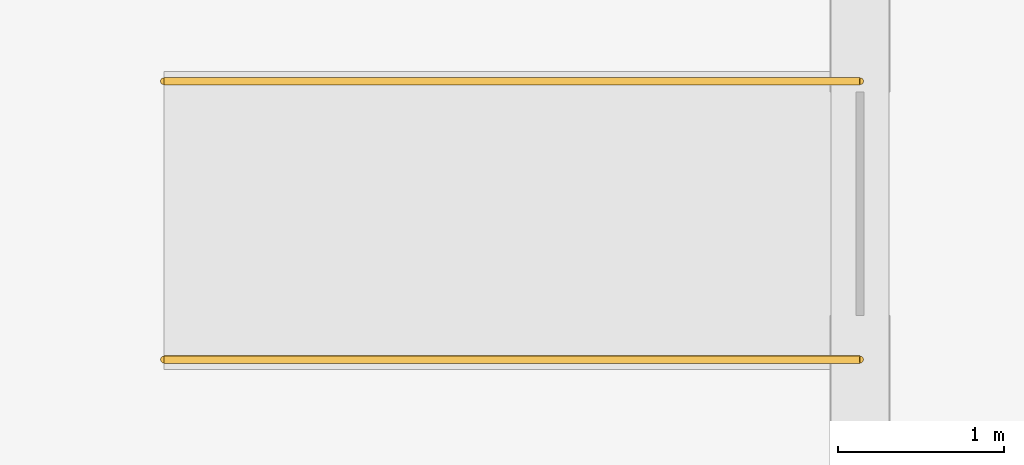
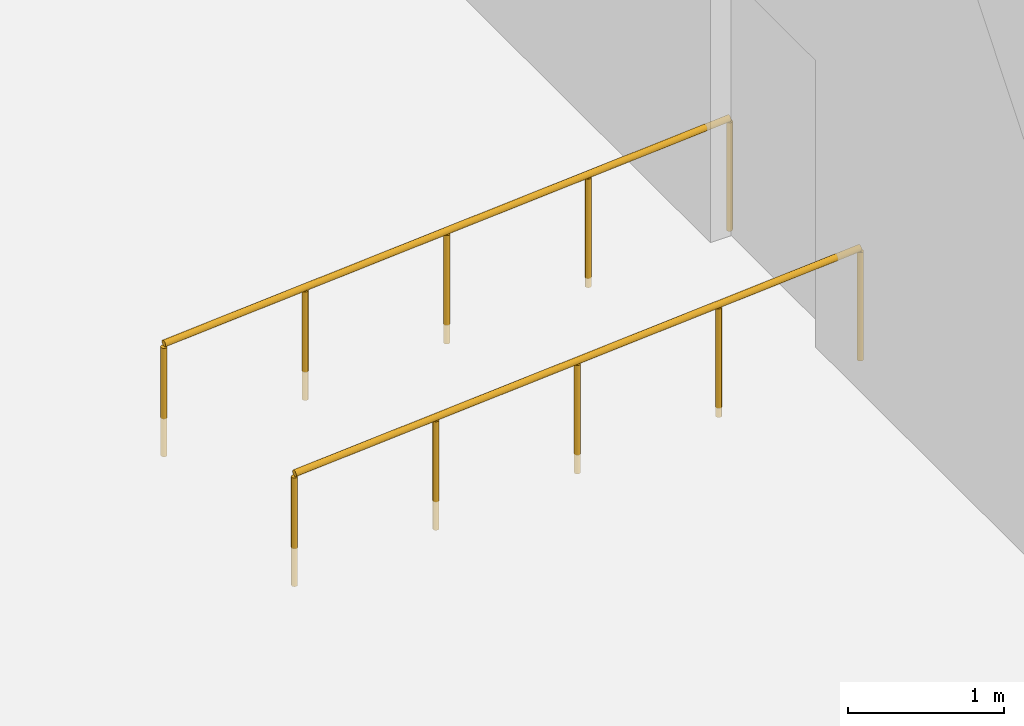
# One storey, part 69 of 70: 2 railings.
"""IFC4 building model written with IfcOpenShell, lengths in metres."""

from ifc_helpers import new_model, si_unit, direction, frame, origin, origin_2d, place, context, subcontext, project, spatial, circle, extrude, material, type_object, element, save


model = new_model("IFC4")

# Units and contexts
model_context = context("Model", 3, precision=1e-05, world=origin(), true_north=direction((0.0, 1.0)))
body_context = subcontext(model_context, "Body", "Model", "MODEL_VIEW")
ifc_project = project(units=[si_unit("LENGTHUNIT", "METRE"), si_unit("AREAUNIT", "SQUARE_METRE"), si_unit("VOLUMEUNIT", "CUBIC_METRE"), si_unit("PLANEANGLEUNIT", "RADIAN"), si_unit("MASSUNIT", "GRAM", prefix="KILO")], contexts=[model_context])

# Site, building, storey
site_placement = place(None, origin())
site = spatial("IfcSite", under=ifc_project, at=site_placement, CompositionType="ELEMENT")
building_placement = place(site_placement, origin())
building = spatial("IfcBuilding", under=site, at=building_placement, Name="Miralva Faculty of Natural Sciences", CompositionType="ELEMENT")
storey_placement = place(building_placement, origin())
storey = spatial("IfcBuildingStorey", under=building, at=storey_placement, Name="L00", CompositionType="ELEMENT", Elevation=0.0)

# Railings
ifc_material = material(Name="Steel S355", Category="steel")
railing_type = type_object("IfcRailingType", Name="RL-HR01", PredefinedType="HANDRAIL", material=ifc_material)
for number, where, name in (
    (1, (129.60009765625, 86.659912109375, -0.300048828125), "Accessible ramp handrail RMP-PED-05-L"),
    (2, (129.60009765625, 88.340087890625, -0.300048828125), "Accessible ramp handrail RMP-PED-05-R"),
):
    element("IfcRailing", number, at=place(storey_placement, frame(where)), inside=storey, type_object=railing_type, Name=name, PredefinedType="HANDRAIL", context=body_context, shape_type="SweptSolid", body=[
        extrude(circle(Radius=0.02392578125, at=origin_2d()), frame((0.0, 0.0, 0.8759765625), z_axis=(0.997457816785, 0.0, 0.071259411546), x_axis=(0.0, 1.0, 0.0)), (0.0, 0.0, 1.0), 4.210693359375),
        extrude(circle(Radius=0.02099609375, at=origin_2d()), origin(), (0.0, 0.0, 1.0), 0.851806640625),
        extrude(circle(Radius=0.02099609375, at=origin_2d()), frame((1.050048828125, 0.0, 0.074951171875)), (0.0, 0.0, 1.0), 0.851806640625),
        extrude(circle(Radius=0.02099609375, at=origin_2d()), frame((2.10009765625, 0.0, 0.14990234375)), (0.0, 0.0, 1.0), 0.851806640625),
        extrude(circle(Radius=0.02099609375, at=origin_2d()), frame((3.14990234375, 0.0, 0.22509765625)), (0.0, 0.0, 1.0), 0.851806640625),
        extrude(circle(Radius=0.02099609375, at=origin_2d()), frame((4.199951171875, 0.0, 0.300048828125)), (0.0, 0.0, 1.0), 0.851806640625),
    ])

save(model, "model.ifc")
